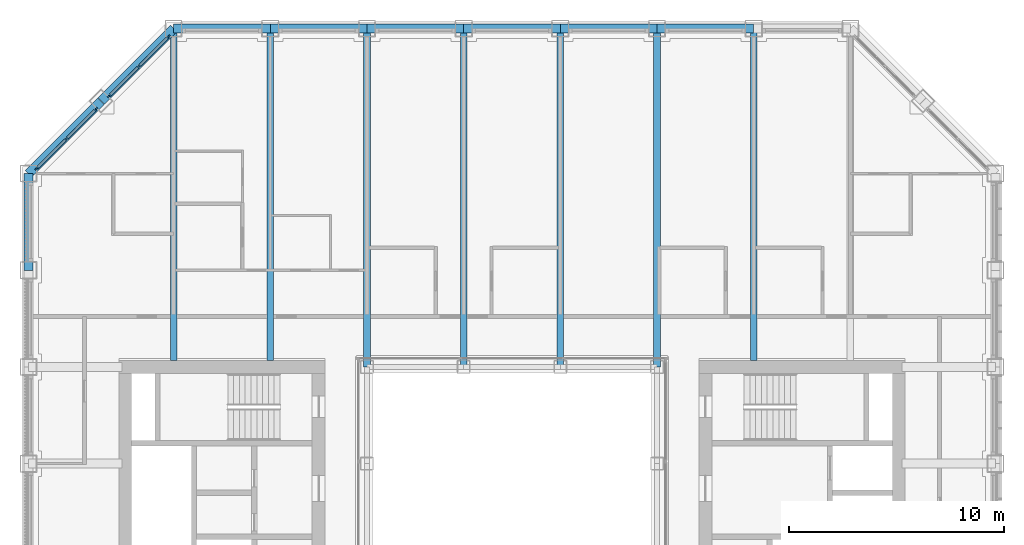
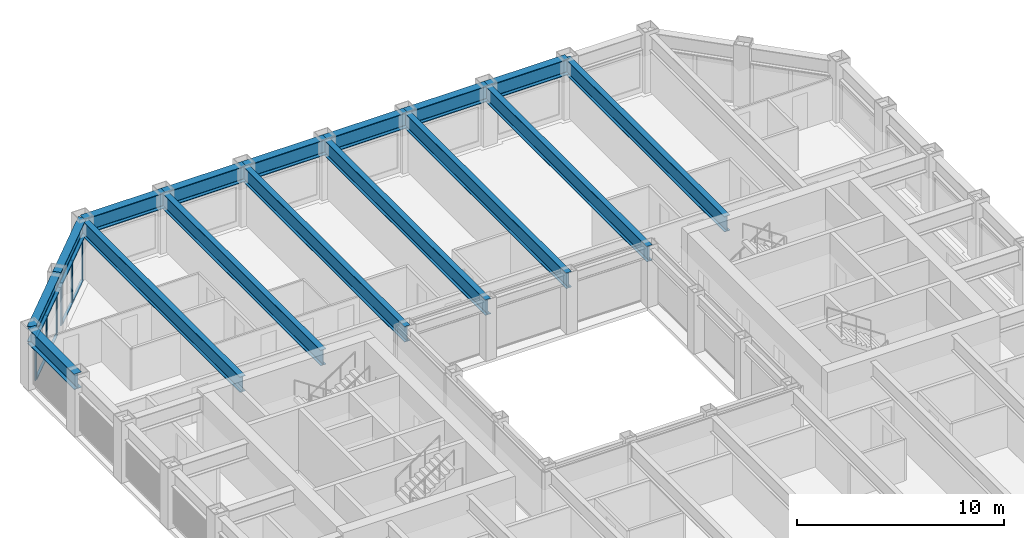
# One storey, part 7 of 17: 16 beams, 14 members, 2 elements without a shape of their own.
"""IFC4 building model written with IfcOpenShell, lengths in metres."""

from ifc_helpers import new_model, si_unit, direction, frame, origin, origin_2d, place, context, subcontext, project, spatial, rectangle, i_section, extrude, material, material_profile, profile_set, type_object, element, aggregate, save


model = new_model("IFC4")

# Units and contexts
model_context = context("Model", 3, precision=1e-05, world=origin(), true_north=direction((0.0, 1.0)))
body_context = subcontext(model_context, "Body", "Model", "MODEL_VIEW")
ifc_project = project(units=[si_unit("LENGTHUNIT", "METRE"), si_unit("AREAUNIT", "SQUARE_METRE"), si_unit("VOLUMEUNIT", "CUBIC_METRE"), si_unit("PLANEANGLEUNIT", "RADIAN"), si_unit("MASSUNIT", "GRAM", prefix="KILO")], contexts=[model_context])

# Site, building, storey
site_placement = place(None, origin())
site = spatial("IfcSite", under=ifc_project, at=site_placement, CompositionType="ELEMENT")
building_placement = place(site_placement, origin())
building = spatial("IfcBuilding", under=site, at=building_placement, Name="Msasa Ring Tower", CompositionType="ELEMENT")
storey_placement = place(building_placement, frame((0.0, 0.0, 172.39990234375)))
storey = spatial("IfcBuildingStorey", under=building, at=storey_placement, Name="L45", CompositionType="ELEMENT", Elevation=172.39990234375)

# Curtain wall, members
ifc_material_1 = material(Name="Aluminium curtain wall with clear glass", Category="aluminium")
curtain_wall_type = type_object("IfcCurtainWallType", Name="CW-C CHAMFER CORNER CURTAIN WALL", PredefinedType="NOTDEFINED", material=ifc_material_1)
curtain_wall_1_placement = place(storey_placement, origin())
curtain_wall_1 = element("IfcCurtainWall", 1, at=curtain_wall_1_placement, inside=storey, type_object=curtain_wall_type, Name="Chamfer corner curtain wall NW L45", PredefinedType="NOTDEFINED")
ifc_material_2 = material(Name="Aluminium mullion", Category="aluminium")
ifc_material_profile_1 = material_profile(ifc_material_2, rectangle(XDim=0.06494140625, YDim=0.179931640625, at=origin_2d()), Name="AL 65x180")
ifc_profile_set_1 = profile_set([ifc_material_profile_1], Name="Aluminium mullion")
member_type_1 = type_object("IfcMemberType", Name="CW-C MULLION 65x180", PredefinedType="MULLION", material=ifc_profile_set_1)
member_1_placement = place(storey_placement, frame((-19.36376953125, 18.744873046875, 0.0), z_axis=(0.0, 0.0, 1.0), x_axis=(0.707106781187, -0.707106781187, 0.0)))
member_1 = element("IfcMember", 2, at=member_1_placement, type_object=member_type_1, Name="CW-C mullion 1", PredefinedType="MULLION", context=body_context, shape_type="SweptSolid", body=[
    extrude(rectangle(XDim=0.06494140625, YDim=0.179931640625, at=origin_2d()), origin(), (0.0, 0.0, 1.0), 2.47900390625),
])
member_2_placement = place(storey_placement, frame((-20.74169921875, 17.36669921875, 0.0), z_axis=(0.0, 0.0, 1.0), x_axis=(0.707106781187, -0.707106781187, 0.0)))
member_2 = element("IfcMember", 3, at=member_2_placement, type_object=member_type_1, Name="CW-C mullion 2", PredefinedType="MULLION", context=body_context, shape_type="SweptSolid", body=[
    extrude(rectangle(XDim=0.06494140625, YDim=0.179931640625, at=origin_2d()), origin(), (0.0, 0.0, 1.0), 2.47900390625),
])
member_3_placement = place(storey_placement, frame((-22.119873046875, 15.98876953125, 0.0), z_axis=(0.0, 0.0, 1.0), x_axis=(0.707106781187, -0.707106781187, 0.0)))
member_3 = element("IfcMember", 4, at=member_3_placement, type_object=member_type_1, Name="CW-C mullion 3", PredefinedType="MULLION", context=body_context, shape_type="SweptSolid", body=[
    extrude(rectangle(XDim=0.06494140625, YDim=0.179931640625, at=origin_2d()), origin(), (0.0, 0.0, 1.0), 2.47900390625),
])

curtain_wall_2_placement = place(storey_placement, origin())
curtain_wall_2 = element("IfcCurtainWall", 5, at=curtain_wall_2_placement, inside=storey, type_object=curtain_wall_type, Name="Chamfer corner curtain wall NW L45", PredefinedType="NOTDEFINED")
member_4_placement = place(storey_placement, frame((-15.98876953125, 22.119873046875, 0.0), z_axis=(0.0, 0.0, 1.0), x_axis=(0.707106781187, -0.707106781187, 0.0)))
member_4 = element("IfcMember", 6, at=member_4_placement, type_object=member_type_1, Name="CW-C mullion 1", PredefinedType="MULLION", context=body_context, shape_type="SweptSolid", body=[
    extrude(rectangle(XDim=0.06494140625, YDim=0.179931640625, at=origin_2d()), origin(), (0.0, 0.0, 1.0), 2.47900390625),
])
member_5_placement = place(storey_placement, frame((-17.36669921875, 20.74169921875, 0.0), z_axis=(0.0, 0.0, 1.0), x_axis=(0.707106781187, -0.707106781187, 0.0)))
member_5 = element("IfcMember", 7, at=member_5_placement, type_object=member_type_1, Name="CW-C mullion 2", PredefinedType="MULLION", context=body_context, shape_type="SweptSolid", body=[
    extrude(rectangle(XDim=0.06494140625, YDim=0.179931640625, at=origin_2d()), origin(), (0.0, 0.0, 1.0), 2.47900390625),
])
member_6_placement = place(storey_placement, frame((-18.744873046875, 19.36376953125, 0.0), z_axis=(0.0, 0.0, 1.0), x_axis=(0.707106781187, -0.707106781187, 0.0)))
member_6 = element("IfcMember", 8, at=member_6_placement, type_object=member_type_1, Name="CW-C mullion 3", PredefinedType="MULLION", context=body_context, shape_type="SweptSolid", body=[
    extrude(rectangle(XDim=0.06494140625, YDim=0.179931640625, at=origin_2d()), origin(), (0.0, 0.0, 1.0), 2.47900390625),
])

# Member
ifc_material_3 = material(Name="Aluminium transom", Category="aluminium")
ifc_material_profile_2 = material_profile(ifc_material_3, rectangle(XDim=0.139892578125, YDim=0.06494140625, at=origin_2d()), Name="AL 65x140")
ifc_profile_set_2 = profile_set([ifc_material_profile_2], Name="Aluminium transom")
member_type_2 = type_object("IfcMemberType", Name="CW-C TRANSOM 65x140", PredefinedType="USERDEFINED", material=ifc_profile_set_2)
member_7_placement = place(storey_placement, frame((-19.38671875, 18.721923828125, 0.03271484375), z_axis=(-0.707106781187, -0.707106781187, 0.0), x_axis=(0.707106781187, -0.707106781187, 0.0)))
member_7 = element("IfcMember", 9, at=member_7_placement, type_object=member_type_2, Name="CW-C transom 1.1", ObjectType="TRANSOM", PredefinedType="USERDEFINED", context=body_context, shape_type="SweptSolid", body=[
    extrude(rectangle(XDim=0.139892578125, YDim=0.06494140625, at=origin_2d()), origin(), (0.0, 0.0, 1.0), 1.8837890625),
])

member_8_placement = place(storey_placement, frame((-19.38671875, 18.721923828125, 2.446533203125), z_axis=(-0.707106781187, -0.707106781187, 0.0), x_axis=(0.707106781187, -0.707106781187, 0.0)))
member_8 = element("IfcMember", 10, at=member_8_placement, type_object=member_type_2, Name="CW-C transom 1.2", ObjectType="TRANSOM", PredefinedType="USERDEFINED", context=body_context, shape_type="SweptSolid", body=[
    extrude(rectangle(XDim=0.139892578125, YDim=0.06494140625, at=origin_2d()), origin(), (0.0, 0.0, 1.0), 1.8837890625),
])

member_9_placement = place(storey_placement, frame((-20.764892578125, 17.34375, 0.03271484375), z_axis=(-0.707106781187, -0.707106781187, 0.0), x_axis=(0.707106781187, -0.707106781187, 0.0)))
member_9 = element("IfcMember", 11, at=member_9_placement, type_object=member_type_2, Name="CW-C transom 2.1", ObjectType="TRANSOM", PredefinedType="USERDEFINED", context=body_context, shape_type="SweptSolid", body=[
    extrude(rectangle(XDim=0.139892578125, YDim=0.06494140625, at=origin_2d()), origin(), (0.0, 0.0, 1.0), 1.8837890625),
])

member_10_placement = place(storey_placement, frame((-20.764892578125, 17.34375, 2.446533203125), z_axis=(-0.707106781187, -0.707106781187, 0.0), x_axis=(0.707106781187, -0.707106781187, 0.0)))
member_10 = element("IfcMember", 12, at=member_10_placement, type_object=member_type_2, Name="CW-C transom 2.2", ObjectType="TRANSOM", PredefinedType="USERDEFINED", context=body_context, shape_type="SweptSolid", body=[
    extrude(rectangle(XDim=0.139892578125, YDim=0.06494140625, at=origin_2d()), origin(), (0.0, 0.0, 1.0), 1.8837890625),
])

aggregate(curtain_wall_1, [member_1, member_2, member_3, member_7, member_8, member_9, member_10])

member_11_placement = place(storey_placement, frame((-16.01171875, 22.096923828125, 0.03271484375), z_axis=(-0.707106781187, -0.707106781187, 0.0), x_axis=(0.707106781187, -0.707106781187, 0.0)))
member_11 = element("IfcMember", 13, at=member_11_placement, type_object=member_type_2, Name="CW-C transom 1.1", ObjectType="TRANSOM", PredefinedType="USERDEFINED", context=body_context, shape_type="SweptSolid", body=[
    extrude(rectangle(XDim=0.139892578125, YDim=0.06494140625, at=origin_2d()), origin(), (0.0, 0.0, 1.0), 1.8837890625),
])

member_12_placement = place(storey_placement, frame((-16.01171875, 22.096923828125, 2.446533203125), z_axis=(-0.707106781187, -0.707106781187, 0.0), x_axis=(0.707106781187, -0.707106781187, 0.0)))
member_12 = element("IfcMember", 14, at=member_12_placement, type_object=member_type_2, Name="CW-C transom 1.2", ObjectType="TRANSOM", PredefinedType="USERDEFINED", context=body_context, shape_type="SweptSolid", body=[
    extrude(rectangle(XDim=0.139892578125, YDim=0.06494140625, at=origin_2d()), origin(), (0.0, 0.0, 1.0), 1.8837890625),
])

member_13_placement = place(storey_placement, frame((-17.389892578125, 20.71875, 0.03271484375), z_axis=(-0.707106781187, -0.707106781187, 0.0), x_axis=(0.707106781187, -0.707106781187, 0.0)))
member_13 = element("IfcMember", 15, at=member_13_placement, type_object=member_type_2, Name="CW-C transom 2.1", ObjectType="TRANSOM", PredefinedType="USERDEFINED", context=body_context, shape_type="SweptSolid", body=[
    extrude(rectangle(XDim=0.139892578125, YDim=0.06494140625, at=origin_2d()), origin(), (0.0, 0.0, 1.0), 1.8837890625),
])

member_14_placement = place(storey_placement, frame((-17.389892578125, 20.71875, 2.446533203125), z_axis=(-0.707106781187, -0.707106781187, 0.0), x_axis=(0.707106781187, -0.707106781187, 0.0)))
member_14 = element("IfcMember", 16, at=member_14_placement, type_object=member_type_2, Name="CW-C transom 2.2", ObjectType="TRANSOM", PredefinedType="USERDEFINED", context=body_context, shape_type="SweptSolid", body=[
    extrude(rectangle(XDim=0.139892578125, YDim=0.06494140625, at=origin_2d()), origin(), (0.0, 0.0, 1.0), 1.8837890625),
])

aggregate(curtain_wall_2, [member_4, member_5, member_6, member_11, member_12, member_13, member_14])

# Beams
ifc_material_4 = material(Name="Steel S355", Category="steel")
ifc_material_profile_3 = material_profile(ifc_material_4, i_section(OverallWidth=0.3076171875, OverallDepth=0.926513671875, WebThickness=0.01953125, FlangeThickness=0.031982421875, FilletRadius=0.01904296875, at=origin_2d()), Name="UB 914x305x289")
ifc_profile_set_3 = profile_set([ifc_material_profile_3], Name="Steel S355")
beam_type_1 = type_object("IfcBeamType", Name="FB3 UB 914x305x289", PredefinedType="BEAM", material=ifc_profile_set_3)
for number, where, z_axis, x_axis, name in (
    (17, (-15.75, 22.5, 2.936767578125), (0.0, -1.0, 0.0), (1.0, 0.0, 0.0), "Floor beam N-15.75 under L46"),
    (18, (-11.25, 22.5, 2.936767578125), (0.0, -1.0, 0.0), (1.0, 0.0, 0.0), "Floor beam N-11.25 under L46"),
):
    element("IfcBeam", number, at=place(storey_placement, frame(where, z_axis=z_axis, x_axis=x_axis)), inside=storey, type_object=beam_type_1, Name=name, PredefinedType="BEAM", context=body_context, shape_type="SweptSolid", body=[
        extrude(i_section(OverallWidth=0.3076171875, OverallDepth=0.926513671875, WebThickness=0.01953125, FlangeThickness=0.031982421875, FilletRadius=0.01904296875, at=origin_2d()), origin(), (0.0, 0.0, 1.0), 15.449951171875),
    ])
for number, where, z_axis, x_axis, name in (
    (19, (-6.75, 22.5, 2.936767578125), (0.0, -1.0, 0.0), (1.0, 0.0, 0.0), "Floor beam N-6.75 under L46"),
    (20, (-2.25, 22.5, 2.936767578125), (0.0, -1.0, 0.0), (1.0, 0.0, 0.0), "Floor beam N-2.25 under L46"),
    (21, (2.25, 22.5, 2.936767578125), (0.0, -1.0, 0.0), (1.0, 0.0, 0.0), "Floor beam N+2.25 under L46"),
    (22, (6.75, 22.5, 2.936767578125), (0.0, -1.0, 0.0), (1.0, 0.0, 0.0), "Floor beam N+6.75 under L46"),
):
    element("IfcBeam", number, at=place(storey_placement, frame(where, z_axis=z_axis, x_axis=x_axis)), inside=storey, type_object=beam_type_1, Name=name, PredefinedType="BEAM", context=body_context, shape_type="SweptSolid", body=[
        extrude(i_section(OverallWidth=0.3076171875, OverallDepth=0.926513671875, WebThickness=0.01953125, FlangeThickness=0.031982421875, FilletRadius=0.01904296875, at=origin_2d()), origin(), (0.0, 0.0, 1.0), 15.75),
    ])
beam_1_placement = place(storey_placement, frame((11.25, 22.5, 2.936767578125), z_axis=(0.0, -1.0, 0.0), x_axis=(1.0, 0.0, 0.0)))
element("IfcBeam", 23, at=beam_1_placement, inside=storey, type_object=beam_type_1, Name="Floor beam N+11.25 under L46", PredefinedType="BEAM", context=body_context, shape_type="SweptSolid", body=[
    extrude(i_section(OverallWidth=0.3076171875, OverallDepth=0.926513671875, WebThickness=0.01953125, FlangeThickness=0.031982421875, FilletRadius=0.01904296875, at=origin_2d()), origin(), (0.0, 0.0, 1.0), 15.449951171875),
])
ifc_material_5 = material(Name="Steel S355", Category="steel")
ifc_material_profile_4 = material_profile(ifc_material_5, i_section(OverallWidth=0.42041015625, OverallDepth=0.9208984375, WebThickness=0.021484375, FlangeThickness=0.03662109375, FilletRadius=0.024169921875, at=origin_2d()), Name="UB 914x419x388")
ifc_profile_set_4 = profile_set([ifc_material_profile_4], Name="Steel S355")
beam_type_2 = type_object("IfcBeamType", Name="SB1 UB 914x419x388", PredefinedType="SPANDREL", material=ifc_profile_set_4)
for number, where, z_axis, x_axis, name in (
    (24, (11.25, 22.5, 2.939697265625), (-1.0, 0.0, 0.0), (0.0, -1.0, 0.0), "Spandrel N+11.25 to N+6.75 under L46"),
    (25, (6.75, 22.5, 2.939697265625), (-1.0, 0.0, 0.0), (0.0, -1.0, 0.0), "Spandrel N+6.75 to N+2.25 under L46"),
    (26, (2.25, 22.5, 2.939697265625), (-1.0, 0.0, 0.0), (0.0, -1.0, 0.0), "Spandrel N+2.25 to N-2.25 under L46"),
    (27, (-2.25, 22.5, 2.939697265625), (-1.0, 0.0, 0.0), (0.0, -1.0, 0.0), "Spandrel N-2.25 to N-6.75 under L46"),
    (28, (-6.75, 22.5, 2.939697265625), (-1.0, 0.0, 0.0), (0.0, -1.0, 0.0), "Spandrel N-6.75 to N-11.25 under L46"),
    (29, (-11.25, 22.5, 2.939697265625), (-1.0, 0.0, 0.0), (0.0, -1.0, 0.0), "Spandrel N-11.25 to N-15.75 under L46"),
):
    element("IfcBeam", number, at=place(storey_placement, frame(where, z_axis=z_axis, x_axis=x_axis)), inside=storey, type_object=beam_type_2, Name=name, PredefinedType="SPANDREL", context=body_context, shape_type="SweptSolid", body=[
        extrude(i_section(OverallWidth=0.42041015625, OverallDepth=0.9208984375, WebThickness=0.021484375, FlangeThickness=0.03662109375, FilletRadius=0.024169921875, at=origin_2d()), origin(), (0.0, 0.0, 1.0), 4.5),
    ])
for number, where, z_axis, x_axis, name in (
    (30, (-15.75, 22.5, 2.939697265625), (-0.707106781187, -0.707106781187, 0.0), (0.707106781187, -0.707106781187, 0.0), "Spandrel N-15.75 to NW under L46"),
    (31, (-19.125, 19.125, 2.939697265625), (-0.707106781187, -0.707106781187, 0.0), (0.707106781187, -0.707106781187, 0.0), "Spandrel NW to W+15.75 under L46"),
):
    element("IfcBeam", number, at=place(storey_placement, frame(where, z_axis=z_axis, x_axis=x_axis)), inside=storey, type_object=beam_type_2, Name=name, PredefinedType="SPANDREL", context=body_context, shape_type="SweptSolid", body=[
        extrude(i_section(OverallWidth=0.42041015625, OverallDepth=0.9208984375, WebThickness=0.021484375, FlangeThickness=0.03662109375, FilletRadius=0.024169921875, at=origin_2d()), origin(), (0.0, 0.0, 1.0), 4.77294921875),
    ])
beam_2_placement = place(storey_placement, frame((-22.5, 15.75, 2.939697265625), z_axis=(0.0, -1.0, 0.0), x_axis=(1.0, 0.0, 0.0)))
element("IfcBeam", 32, at=beam_2_placement, inside=storey, type_object=beam_type_2, Name="Spandrel W+15.75 to W+11.25 under L46", PredefinedType="SPANDREL", context=body_context, shape_type="SweptSolid", body=[
    extrude(i_section(OverallWidth=0.42041015625, OverallDepth=0.9208984375, WebThickness=0.021484375, FlangeThickness=0.03662109375, FilletRadius=0.024169921875, at=origin_2d()), origin(), (0.0, 0.0, 1.0), 4.5),
])

save(model, "model.ifc")
